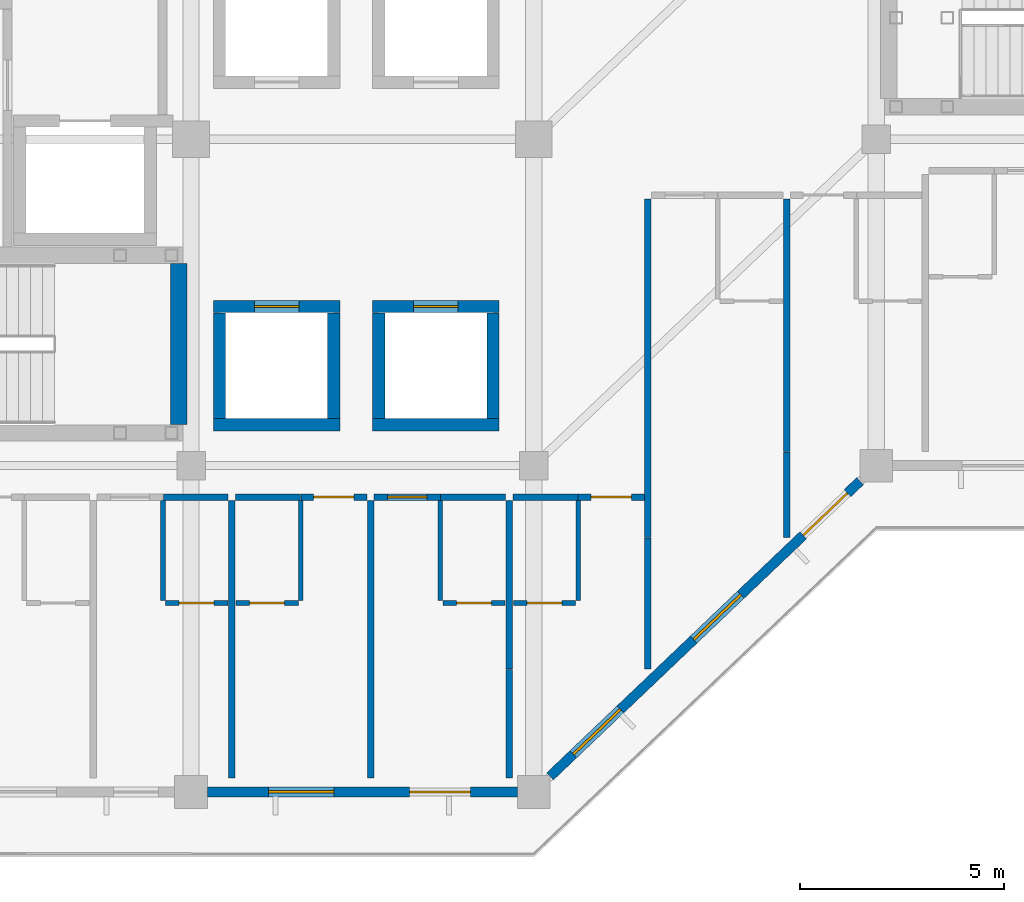
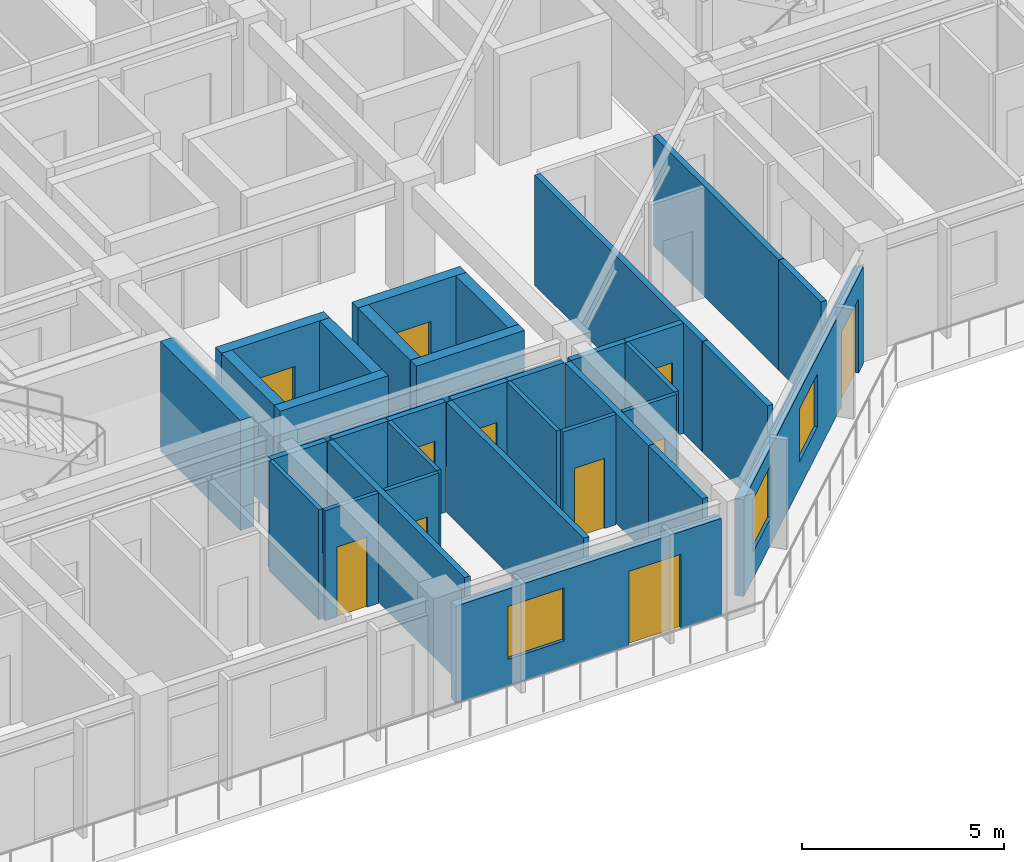
# One storey, part 6 of 17: 34 walls, 11 doors, 3 windows, 14 openings.
"""IFC4 building model written with IfcOpenShell, lengths in metres."""

from ifc_helpers import new_model, si_unit, direction, frame, frame_2d, origin, place, context, subcontext, project, spatial, rectangle, extrude, material, layer, layer_set, type_object, element, fill, save


model = new_model("IFC4")

# Units and contexts
model_context = context("Model", 3, precision=1e-05, world=origin(), true_north=direction((0.0, 1.0)))
body_context = subcontext(model_context, "Body", "Model", "MODEL_VIEW")
ifc_project = project(units=[si_unit("LENGTHUNIT", "METRE"), si_unit("AREAUNIT", "SQUARE_METRE"), si_unit("VOLUMEUNIT", "CUBIC_METRE"), si_unit("PLANEANGLEUNIT", "RADIAN"), si_unit("MASSUNIT", "GRAM", prefix="KILO")], contexts=[model_context])

# Site, building, storey
site_placement = place(None, origin())
site = spatial("IfcSite", under=ifc_project, at=site_placement, CompositionType="ELEMENT")
building_placement = place(site_placement, origin())
building = spatial("IfcBuilding", under=site, at=building_placement, Name="Naruveol Harbour Congress Hotel", CompositionType="ELEMENT")
storey_placement = place(building_placement, frame((0.0, 0.0, 25.199951171875)))
storey = spatial("IfcBuildingStorey", under=building, at=storey_placement, Name="L05", CompositionType="ELEMENT", Elevation=25.199951171875)

# Wall
ifc_material_1 = material(Name="Moisture-Resistant Gypsum Partition", Category="gypsum")
ifc_layer_1 = layer(ifc_material_1, 0.114990234375)
ifc_layer_set_1 = layer_set([ifc_layer_1], Name="Moisture-Resistant Gypsum Partition")
wall_type_1 = type_object("IfcWallType", Name="BATHROOM MOISTURE PARTITION WALL 115", PredefinedType="PARTITIONING", material=ifc_layer_set_1)
wall_1_placement = place(storey_placement, frame((133.7099609375, 4.68994140625, 0.0), z_axis=(0.0, 0.0, 1.0), x_axis=(0.0, 1.0, 0.0)))
element("IfcWall", 1, at=wall_1_placement, inside=storey, type_object=wall_type_1, Name="Bathroom west wall 0619 PW-115", PredefinedType="PARTITIONING", context=body_context, shape_type="SweptSolid", body=[
    extrude(rectangle(XDim=2.449951171875, YDim=0.114990234375, at=frame_2d((1.22509765625, 0.0))), origin(), (0.0, 0.0, 1.0), 3.3349609375),
])

# Wall, opening, door
wall_2_placement = place(storey_placement, frame((133.77001953125, 4.6298828125, 0.0), z_axis=(0.0, 0.0, 1.0), x_axis=(1.0, 0.0, 0.0)))
wall_2 = element("IfcWall", 2, at=wall_2_placement, inside=storey, type_object=wall_type_1, Name="Bathroom south wall 0619 PW-115", PredefinedType="PARTITIONING", context=body_context, shape_type="SweptSolid", body=[
    extrude(rectangle(XDim=1.530029296875, YDim=0.114990234375, at=frame_2d((0.76513671875, 0.0))), origin(), (0.0, 0.0, 1.0), 3.3349609375),
])
opening_1_placement = place(wall_2_placement, frame((0.3349609375, 0.0, 0.0)))
opening_1 = element("IfcOpeningElement", 3, at=opening_1_placement, cuts=wall_2, Name="Opening BD-RM0619", PredefinedType="OPENING", context=body_context, shape_type="SweptSolid", body=[
    extrude(rectangle(XDim=0.860107421875, YDim=2.1201171875, at=frame_2d((0.43017578125, 1.06005859375))), frame((0.0, 0.0673828125, 0.0), z_axis=(0.0, -1.0, 0.0), x_axis=(1.0, 0.0, 0.0)), (0.0, 0.0, 1.0), 0.135009765625),
])
ifc_material_2 = material(Name="Timber & Steel Acoustic Leaf", Category="steel")
door_type_1 = type_object("IfcDoorType", Name="GUEST BATHROOM DOOR 860X2120", OperationType="NOTDEFINED", PredefinedType="DOOR", material=ifc_material_2)
door_1_placement = place(opening_1_placement, origin())
door_1 = element("IfcDoor", 4, at=door_1_placement, inside=storey, type_object=door_type_1, Name="Bathroom Door 0619", OperationType="SINGLE_SWING_RIGHT", OverallHeight=2.1201171875, OverallWidth=0.860107421875, PredefinedType="DOOR", context=body_context, shape_type="SweptSolid", body=[
    extrude(rectangle(XDim=0.860107421875, YDim=2.1201171875, at=frame_2d((0.43017578125, 1.06005859375))), frame((0.0, 0.02490234375, 0.0), z_axis=(0.0, -1.0, 0.0), x_axis=(1.0, 0.0, 0.0)), (0.0, 0.0, 1.0), 0.050048828125),
])
fill(opening_1, door_1)

# Wall
wall_3_placement = place(storey_placement, frame((137.090087890625, 4.68994140625, 0.0), z_axis=(0.0, 0.0, 1.0), x_axis=(0.0, 1.0, 0.0)))
element("IfcWall", 5, at=wall_3_placement, inside=storey, type_object=wall_type_1, Name="Bathroom east wall 0620 PW-115", PredefinedType="PARTITIONING", context=body_context, shape_type="SweptSolid", body=[
    extrude(rectangle(XDim=2.449951171875, YDim=0.114990234375, at=frame_2d((1.22509765625, 0.0))), origin(), (0.0, 0.0, 1.0), 3.3349609375),
])

# Wall, opening, door
wall_4_placement = place(storey_placement, frame((135.5, 4.6298828125, 0.0), z_axis=(0.0, 0.0, 1.0), x_axis=(1.0, 0.0, 0.0)))
wall_4 = element("IfcWall", 6, at=wall_4_placement, inside=storey, type_object=wall_type_1, Name="Bathroom south wall 0620 PW-115", PredefinedType="PARTITIONING", context=body_context, shape_type="SweptSolid", body=[
    extrude(rectangle(XDim=1.530029296875, YDim=0.114990234375, at=frame_2d((0.76513671875, 0.0))), origin(), (0.0, 0.0, 1.0), 3.3349609375),
])
opening_2_placement = place(wall_4_placement, frame((0.3349609375, 0.0, 0.0)))
opening_2 = element("IfcOpeningElement", 7, at=opening_2_placement, cuts=wall_4, Name="Opening BD-RM0620", PredefinedType="OPENING", context=body_context, shape_type="SweptSolid", body=[
    extrude(rectangle(XDim=0.860107421875, YDim=2.1201171875, at=frame_2d((0.43017578125, 1.06005859375))), frame((0.0, 0.0673828125, 0.0), z_axis=(0.0, -1.0, 0.0), x_axis=(1.0, 0.0, 0.0)), (0.0, 0.0, 1.0), 0.135009765625),
])
door_2_placement = place(opening_2_placement, origin())
door_2 = element("IfcDoor", 8, at=door_2_placement, inside=storey, type_object=door_type_1, Name="Bathroom Door 0620", OperationType="SINGLE_SWING_RIGHT", OverallHeight=2.1201171875, OverallWidth=0.860107421875, PredefinedType="DOOR", context=body_context, shape_type="SweptSolid", body=[
    extrude(rectangle(XDim=0.860107421875, YDim=2.1201171875, at=frame_2d((0.43017578125, 1.06005859375))), frame((0.0, 0.02490234375, 0.0), z_axis=(0.0, -1.0, 0.0), x_axis=(1.0, 0.0, 0.0)), (0.0, 0.0, 1.0), 0.050048828125),
])
fill(opening_2, door_2)

# Wall
wall_5_placement = place(storey_placement, frame((140.510009765625, 4.68994140625, 0.0), z_axis=(0.0, 0.0, 1.0), x_axis=(0.0, 1.0, 0.0)))
element("IfcWall", 9, at=wall_5_placement, inside=storey, type_object=wall_type_1, Name="Bathroom west wall 0621 PW-115", PredefinedType="PARTITIONING", context=body_context, shape_type="SweptSolid", body=[
    extrude(rectangle(XDim=2.449951171875, YDim=0.114990234375, at=frame_2d((1.22509765625, 0.0))), origin(), (0.0, 0.0, 1.0), 3.3349609375),
])

# Wall, opening, door
wall_6_placement = place(storey_placement, frame((140.570068359375, 4.6298828125, 0.0), z_axis=(0.0, 0.0, 1.0), x_axis=(1.0, 0.0, 0.0)))
wall_6 = element("IfcWall", 10, at=wall_6_placement, inside=storey, type_object=wall_type_1, Name="Bathroom south wall 0621 PW-115", PredefinedType="PARTITIONING", context=body_context, shape_type="SweptSolid", body=[
    extrude(rectangle(XDim=1.530029296875, YDim=0.114990234375, at=frame_2d((0.76513671875, 0.0))), origin(), (0.0, 0.0, 1.0), 3.3349609375),
])
opening_3_placement = place(wall_6_placement, frame((0.3349609375, 0.0, 0.0)))
opening_3 = element("IfcOpeningElement", 11, at=opening_3_placement, cuts=wall_6, Name="Opening BD-RM0621", PredefinedType="OPENING", context=body_context, shape_type="SweptSolid", body=[
    extrude(rectangle(XDim=0.860107421875, YDim=2.1201171875, at=frame_2d((0.43017578125, 1.06005859375))), frame((0.0, 0.0673828125, 0.0), z_axis=(0.0, -1.0, 0.0), x_axis=(1.0, 0.0, 0.0)), (0.0, 0.0, 1.0), 0.135009765625),
])
door_3_placement = place(opening_3_placement, origin())
door_3 = element("IfcDoor", 12, at=door_3_placement, inside=storey, type_object=door_type_1, Name="Bathroom Door 0621", OperationType="SINGLE_SWING_RIGHT", OverallHeight=2.1201171875, OverallWidth=0.860107421875, PredefinedType="DOOR", context=body_context, shape_type="SweptSolid", body=[
    extrude(rectangle(XDim=0.860107421875, YDim=2.1201171875, at=frame_2d((0.43017578125, 1.06005859375))), frame((0.0, 0.02490234375, 0.0), z_axis=(0.0, -1.0, 0.0), x_axis=(1.0, 0.0, 0.0)), (0.0, 0.0, 1.0), 0.050048828125),
])
fill(opening_3, door_3)

# Wall
wall_7_placement = place(storey_placement, frame((143.889892578125, 4.68994140625, 0.0), z_axis=(0.0, 0.0, 1.0), x_axis=(0.0, 1.0, 0.0)))
element("IfcWall", 13, at=wall_7_placement, inside=storey, type_object=wall_type_1, Name="Bathroom east wall 0622 PW-115", PredefinedType="PARTITIONING", context=body_context, shape_type="SweptSolid", body=[
    extrude(rectangle(XDim=2.449951171875, YDim=0.114990234375, at=frame_2d((1.22509765625, 0.0))), origin(), (0.0, 0.0, 1.0), 3.3349609375),
])

# Wall, opening, door
wall_8_placement = place(storey_placement, frame((142.300048828125, 4.6298828125, 0.0), z_axis=(0.0, 0.0, 1.0), x_axis=(1.0, 0.0, 0.0)))
wall_8 = element("IfcWall", 14, at=wall_8_placement, inside=storey, type_object=wall_type_1, Name="Bathroom south wall 0622 PW-115", PredefinedType="PARTITIONING", context=body_context, shape_type="SweptSolid", body=[
    extrude(rectangle(XDim=1.530029296875, YDim=0.114990234375, at=frame_2d((0.76513671875, 0.0))), origin(), (0.0, 0.0, 1.0), 3.3349609375),
])
opening_4_placement = place(wall_8_placement, frame((0.3349609375, 0.0, 0.0)))
opening_4 = element("IfcOpeningElement", 15, at=opening_4_placement, cuts=wall_8, Name="Opening BD-RM0622", PredefinedType="OPENING", context=body_context, shape_type="SweptSolid", body=[
    extrude(rectangle(XDim=0.860107421875, YDim=2.1201171875, at=frame_2d((0.43017578125, 1.06005859375))), frame((0.0, 0.0673828125, 0.0), z_axis=(0.0, -1.0, 0.0), x_axis=(1.0, 0.0, 0.0)), (0.0, 0.0, 1.0), 0.135009765625),
])
door_4_placement = place(opening_4_placement, origin())
door_4 = element("IfcDoor", 16, at=door_4_placement, inside=storey, type_object=door_type_1, Name="Bathroom Door 0622", OperationType="SINGLE_SWING_RIGHT", OverallHeight=2.1201171875, OverallWidth=0.860107421875, PredefinedType="DOOR", context=body_context, shape_type="SweptSolid", body=[
    extrude(rectangle(XDim=0.860107421875, YDim=2.1201171875, at=frame_2d((0.43017578125, 1.06005859375))), frame((0.0, 0.02490234375, 0.0), z_axis=(0.0, -1.0, 0.0), x_axis=(1.0, 0.0, 0.0)), (0.0, 0.0, 1.0), 0.050048828125),
])
fill(opening_4, door_4)

# Walls
ifc_material_3 = material(Name="Autoclaved Aerated Concrete Block", Category="concrete")
ifc_layer_2 = layer(ifc_material_3, 0.159912109375)
ifc_layer_set_2 = layer_set([ifc_layer_2], Name="Autoclaved Aerated Concrete Block")
wall_type_2 = type_object("IfcWallType", Name="HOTEL PARTY AND CORRIDOR WALL 160 EI60", PredefinedType="PARTITIONING", material=ifc_layer_set_2)
for number, where, z_axis, x_axis, name in (
    (17, (133.719970703125, 7.22998046875, 0.0), (0.0, 0.0, 1.0), (1.0, 0.0, 0.0), "Corridor wall 0619B PW-160"),
    (18, (135.489990234375, 7.22998046875, 0.0), (0.0, 0.0, 1.0), (1.0, 0.0, 0.0), "Corridor wall 0620B PW-160"),
):
    element("IfcWall", number, at=place(storey_placement, frame(where, z_axis=z_axis, x_axis=x_axis)), inside=storey, type_object=wall_type_2, Name=name, PredefinedType="PARTITIONING", context=body_context, shape_type="SweptSolid", body=[
        extrude(rectangle(XDim=1.590087890625, YDim=0.159912109375, at=frame_2d((0.794921875, 0.0))), origin(), (0.0, 0.0, 1.0), 3.3349609375),
    ])

# Wall, opening, door
wall_9_placement = place(storey_placement, frame((137.090087890625, 7.22998046875, 0.0), z_axis=(0.0, 0.0, 1.0), x_axis=(1.0, 0.0, 0.0)))
wall_9 = element("IfcWall", 19, at=wall_9_placement, inside=storey, type_object=wall_type_2, Name="Corridor entry wall 0620 PW-160", PredefinedType="PARTITIONING", context=body_context, shape_type="SweptSolid", body=[
    extrude(rectangle(XDim=1.619873046875, YDim=0.159912109375, at=frame_2d((0.81005859375, 0.0))), origin(), (0.0, 0.0, 1.0), 3.3349609375),
])
opening_5_placement = place(wall_9_placement, frame((0.31005859375, 0.0, 0.0)))
opening_5 = element("IfcOpeningElement", 20, at=opening_5_placement, cuts=wall_9, Name="Opening FD-RM0620", PredefinedType="OPENING", context=body_context, shape_type="SweptSolid", body=[
    extrude(rectangle(XDim=1.0, YDim=2.25, at=frame_2d((0.5, 1.125))), frame((0.0, 0.08984375, 0.0), z_axis=(0.0, -1.0, 0.0), x_axis=(1.0, 0.0, 0.0)), (0.0, 0.0, 1.0), 0.179931640625),
])
ifc_material_4 = material(Name="Timber & Steel Acoustic Leaf", Category="steel")
door_type_2 = type_object("IfcDoorType", Name="DELUXE GUEST ENTRANCE FIRE DOOR 1000X2250", OperationType="NOTDEFINED", PredefinedType="DOOR", material=ifc_material_4)
door_5_placement = place(opening_5_placement, origin())
door_5 = element("IfcDoor", 21, at=door_5_placement, inside=storey, type_object=door_type_2, Name="Hotel Room Door 0620", OperationType="SINGLE_SWING_LEFT", OverallHeight=2.25, OverallWidth=1.0, PredefinedType="DOOR", context=body_context, shape_type="SweptSolid", body=[
    extrude(rectangle(XDim=1.0, YDim=2.25, at=frame_2d((0.5, 1.125))), frame((0.0, 0.02490234375, 0.0), z_axis=(0.0, -1.0, 0.0), x_axis=(1.0, 0.0, 0.0)), (0.0, 0.0, 1.0), 0.050048828125),
])
fill(opening_5, door_5)

# Wall
wall_10_placement = place(storey_placement, frame((135.39990234375, 0.340087890625, 0.0), z_axis=(0.0, 0.0, 1.0), x_axis=(0.0, 1.0, 0.0)))
element("IfcWall", 22, at=wall_10_placement, inside=storey, type_object=wall_type_2, Name="Hotel party wall 0620 PW-160", PredefinedType="PARTITIONING", context=body_context, shape_type="SweptSolid", body=[
    extrude(rectangle(XDim=6.7998046875, YDim=0.159912109375, at=frame_2d((3.39990234375, 0.0))), origin(), (0.0, 0.0, 1.0), 3.3349609375),
])

# Wall, opening, door
wall_11_placement = place(storey_placement, frame((138.889892578125, 7.22998046875, 0.0), z_axis=(0.0, 0.0, 1.0), x_axis=(1.0, 0.0, 0.0)))
wall_11 = element("IfcWall", 23, at=wall_11_placement, inside=storey, type_object=wall_type_2, Name="Corridor entry wall 0621 PW-160", PredefinedType="PARTITIONING", context=body_context, shape_type="SweptSolid", body=[
    extrude(rectangle(XDim=1.6201171875, YDim=0.159912109375, at=frame_2d((0.81005859375, 0.0))), origin(), (0.0, 0.0, 1.0), 3.3349609375),
])
opening_6_placement = place(wall_11_placement, frame((0.330078125, 0.0, 0.0)))
opening_6 = element("IfcOpeningElement", 24, at=opening_6_placement, cuts=wall_11, Name="Opening FD-RM0621", PredefinedType="OPENING", context=body_context, shape_type="SweptSolid", body=[
    extrude(rectangle(XDim=0.9599609375, YDim=2.199951171875, at=frame_2d((0.47998046875, 1.10009765625))), frame((0.0, 0.08984375, 0.0), z_axis=(0.0, -1.0, 0.0), x_axis=(1.0, 0.0, 0.0)), (0.0, 0.0, 1.0), 0.179931640625),
])
ifc_material_5 = material(Name="Timber & Steel Acoustic Leaf", Category="steel")
door_type_3 = type_object("IfcDoorType", Name="GUEST ROOM ENTRANCE FIRE DOOR 960X2200", OperationType="NOTDEFINED", PredefinedType="DOOR", material=ifc_material_5)
door_6_placement = place(opening_6_placement, origin())
door_6 = element("IfcDoor", 25, at=door_6_placement, inside=storey, type_object=door_type_3, Name="Hotel Room Door 0621", OperationType="SINGLE_SWING_LEFT", OverallHeight=2.199951171875, OverallWidth=0.9599609375, PredefinedType="DOOR", context=body_context, shape_type="SweptSolid", body=[
    extrude(rectangle(XDim=0.9599609375, YDim=2.199951171875, at=frame_2d((0.47998046875, 1.10009765625))), frame((0.0, 0.02490234375, 0.0), z_axis=(0.0, -1.0, 0.0), x_axis=(1.0, 0.0, 0.0)), (0.0, 0.0, 1.0), 0.050048828125),
])
fill(opening_6, door_6)

# Walls
wall_12_placement = place(storey_placement, frame((140.52001953125, 7.22998046875, 0.0), z_axis=(0.0, 0.0, 1.0), x_axis=(1.0, 0.0, 0.0)))
element("IfcWall", 26, at=wall_12_placement, inside=storey, type_object=wall_type_2, Name="Corridor wall 0621B PW-160", PredefinedType="PARTITIONING", context=body_context, shape_type="SweptSolid", body=[
    extrude(rectangle(XDim=1.590087890625, YDim=0.159912109375, at=frame_2d((0.794921875, 0.0))), origin(), (0.0, 0.0, 1.0), 3.3349609375),
])
wall_13_placement = place(storey_placement, frame((138.800048828125, 0.340087890625, 0.0), z_axis=(0.0, 0.0, 1.0), x_axis=(0.0, 1.0, 0.0)))
element("IfcWall", 27, at=wall_13_placement, inside=storey, type_object=wall_type_2, Name="Hotel party wall 0621 PW-160", PredefinedType="PARTITIONING", context=body_context, shape_type="SweptSolid", body=[
    extrude(rectangle(XDim=6.7998046875, YDim=0.159912109375, at=frame_2d((3.39990234375, 0.0))), origin(), (0.0, 0.0, 1.0), 3.3349609375),
])
wall_14_placement = place(storey_placement, frame((142.199951171875, 0.340087890625, 0.0), z_axis=(0.0, 0.0, 1.0), x_axis=(0.0, 1.0, 0.0)))
element("IfcWall", 28, at=wall_14_placement, inside=storey, type_object=wall_type_2, Name="Hotel end party wall 0621 PW-160", PredefinedType="PARTITIONING", context=body_context, shape_type="SweptSolid", body=[
    extrude(rectangle(XDim=2.659912109375, YDim=0.159912109375, at=frame_2d((1.330078125, 0.0))), origin(), (0.0, 0.0, 1.0), 3.3349609375),
])
wall_15_placement = place(storey_placement, frame((142.2900390625, 7.22998046875, 0.0), z_axis=(0.0, 0.0, 1.0), x_axis=(1.0, 0.0, 0.0)))
element("IfcWall", 29, at=wall_15_placement, inside=storey, type_object=wall_type_2, Name="Corridor wall 0622B PW-160", PredefinedType="PARTITIONING", context=body_context, shape_type="SweptSolid", body=[
    extrude(rectangle(XDim=1.58984375, YDim=0.159912109375, at=frame_2d((0.794921875, 0.0))), origin(), (0.0, 0.0, 1.0), 3.3349609375),
])

# Wall, opening, door
wall_16_placement = place(storey_placement, frame((143.889892578125, 7.22998046875, 0.0), z_axis=(0.0, 0.0, 1.0), x_axis=(1.0, 0.0, 0.0)))
wall_16 = element("IfcWall", 30, at=wall_16_placement, inside=storey, type_object=wall_type_2, Name="Corridor entry wall 0622 PW-160", PredefinedType="PARTITIONING", context=body_context, shape_type="SweptSolid", body=[
    extrude(rectangle(XDim=1.6201171875, YDim=0.159912109375, at=frame_2d((0.81005859375, 0.0))), origin(), (0.0, 0.0, 1.0), 3.3349609375),
])
opening_7_placement = place(wall_16_placement, frame((0.31005859375, 0.0, 0.0)))
opening_7 = element("IfcOpeningElement", 31, at=opening_7_placement, cuts=wall_16, Name="Opening FD-RM0622", PredefinedType="OPENING", context=body_context, shape_type="SweptSolid", body=[
    extrude(rectangle(XDim=1.0, YDim=2.25, at=frame_2d((0.5, 1.125))), frame((0.0, 0.08984375, 0.0), z_axis=(0.0, -1.0, 0.0), x_axis=(1.0, 0.0, 0.0)), (0.0, 0.0, 1.0), 0.179931640625),
])
door_7_placement = place(opening_7_placement, origin())
door_7 = element("IfcDoor", 32, at=door_7_placement, inside=storey, type_object=door_type_2, Name="Hotel Room Door 0622", OperationType="SINGLE_SWING_LEFT", OverallHeight=2.25, OverallWidth=1.0, PredefinedType="DOOR", context=body_context, shape_type="SweptSolid", body=[
    extrude(rectangle(XDim=1.0, YDim=2.25, at=frame_2d((0.5, 1.125))), frame((0.0, 0.02490234375, 0.0), z_axis=(0.0, -1.0, 0.0), x_axis=(1.0, 0.0, 0.0)), (0.0, 0.0, 1.0), 0.050048828125),
])
fill(opening_7, door_7)

# Walls
wall_17_placement = place(storey_placement, frame((142.199951171875, 3.010009765625, 0.0), z_axis=(0.0, 0.0, 1.0), x_axis=(0.0, 1.0, 0.0)))
element("IfcWall", 33, at=wall_17_placement, inside=storey, type_object=wall_type_2, Name="Hotel party wall 0622 PW-160", PredefinedType="PARTITIONING", context=body_context, shape_type="SweptSolid", body=[
    extrude(rectangle(XDim=4.1298828125, YDim=0.159912109375, at=frame_2d((2.06494140625, 0.0))), origin(), (0.0, 0.0, 1.0), 3.3349609375),
])
wall_18_placement = place(storey_placement, frame((145.60009765625, 3.010009765625, 0.0), z_axis=(0.0, 0.0, 1.0), x_axis=(0.0, 1.0, 0.0)))
element("IfcWall", 34, at=wall_18_placement, inside=storey, type_object=wall_type_2, Name="Hotel end party wall 0622 PW-160", PredefinedType="PARTITIONING", context=body_context, shape_type="SweptSolid", body=[
    extrude(rectangle(XDim=3.219970703125, YDim=0.159912109375, at=frame_2d((1.60986328125, 0.0))), origin(), (0.0, 0.0, 1.0), 3.3349609375),
])
wall_19_placement = place(storey_placement, frame((145.60009765625, 6.239990234375, 0.0), z_axis=(0.0, 0.0, 1.0), x_axis=(0.0, 1.0, 0.0)))
element("IfcWall", 35, at=wall_19_placement, inside=storey, type_object=wall_type_2, Name="Hotel party wall 0623 PW-160", PredefinedType="PARTITIONING", context=body_context, shape_type="SweptSolid", body=[
    extrude(rectangle(XDim=8.300048828125, YDim=0.159912109375, at=frame_2d((4.14990234375, 0.0))), origin(), (0.0, 0.0, 1.0), 3.3349609375),
])
wall_20_placement = place(storey_placement, frame((149.0, 6.239990234375, 0.0), z_axis=(0.0, 0.0, 1.0), x_axis=(0.0, 1.0, 0.0)))
element("IfcWall", 36, at=wall_20_placement, inside=storey, type_object=wall_type_2, Name="Hotel end party wall 0623 PW-160", PredefinedType="PARTITIONING", context=body_context, shape_type="SweptSolid", body=[
    extrude(rectangle(XDim=2.090087890625, YDim=0.159912109375, at=frame_2d((1.044921875, 0.0))), origin(), (0.0, 0.0, 1.0), 3.3349609375),
])
wall_21_placement = place(storey_placement, frame((149.0, 8.340087890625, 0.0), z_axis=(0.0, 0.0, 1.0), x_axis=(0.0, 1.0, 0.0)))
element("IfcWall", 37, at=wall_21_placement, inside=storey, type_object=wall_type_2, Name="Hotel party wall 0624 PW-160", PredefinedType="PARTITIONING", context=body_context, shape_type="SweptSolid", body=[
    extrude(rectangle(XDim=6.199951171875, YDim=0.159912109375, at=frame_2d((3.10009765625, 0.0))), origin(), (0.0, 0.0, 1.0), 3.3349609375),
])

# Wall, openings, window, door
ifc_material_6 = material(Name="Concrete C40/50", Category="concrete")
ifc_layer_3 = layer(ifc_material_6, 0.239990234375)
ifc_layer_set_3 = layer_set([ifc_layer_3], Name="Concrete C40/50")
wall_type_3 = type_object("IfcWallType", Name="INSULATED HOTEL SPANDREL WALL 240", PredefinedType="SOLIDWALL", material=ifc_layer_set_3)
wall_22_placement = place(storey_placement, frame((142.39990234375, 0.0, 0.0), z_axis=(0.0, 0.0, 1.0), x_axis=(-1.0, 0.0, 0.0)))
wall_22 = element("IfcWall", 38, at=wall_22_placement, inside=storey, type_object=wall_type_3, Name="Hotel south waterfront wall L05 EW-240", PredefinedType="SOLIDWALL", context=body_context, shape_type="SweptSolid", body=[
    extrude(rectangle(XDim=7.599853515625, YDim=0.239990234375, at=frame_2d((3.7998046875, 0.0))), origin(), (0.0, 0.0, 1.0), 2.929931640625),
])
opening_8_placement = place(wall_22_placement, frame((1.14990234375, 0.0, 0.0)))
opening_8 = element("IfcOpeningElement", 39, at=opening_8_placement, cuts=wall_22, Name="Opening BD-150-040", PredefinedType="OPENING", context=body_context, shape_type="SweptSolid", body=[
    extrude(rectangle(XDim=1.5, YDim=2.25, at=frame_2d((0.75, 1.125))), frame((0.0, 0.1298828125, 0.0), z_axis=(0.0, -1.0, 0.0), x_axis=(1.0, 0.0, 0.0)), (0.0, 0.0, 1.0), 0.260009765625),
])
opening_9_placement = place(wall_22_placement, frame((4.5, 0.0, 0.800048828125)))
opening_9 = element("IfcOpeningElement", 40, at=opening_9_placement, cuts=wall_22, Name="Opening W-03", PredefinedType="OPENING", context=body_context, shape_type="SweptSolid", body=[
    extrude(rectangle(XDim=1.60009765625, YDim=1.60009765625, at=frame_2d((0.800048828125, 0.800048828125))), frame((0.0, 0.1298828125, 0.0), z_axis=(0.0, -1.0, 0.0), x_axis=(1.0, 0.0, 0.0)), (0.0, 0.0, 1.0), 0.260009765625),
])
ifc_material_7 = material(Name="Low-E Triple Glazing in Thermal Aluminium", Category="aluminium")
window_type = type_object("IfcWindowType", Name="DELUXE GUEST WINDOW 1600X1600", PartitioningType="SINGLE_PANEL", PredefinedType="WINDOW", material=ifc_material_7)
window_1_placement = place(opening_9_placement, origin())
window_1 = element("IfcWindow", 41, at=window_1_placement, inside=storey, type_object=window_type, Name="Window W-03 #316", OverallHeight=1.60009765625, OverallWidth=1.60009765625, PartitioningType="SINGLE_PANEL", PredefinedType="WINDOW", context=body_context, shape_type="SweptSolid", body=[
    extrude(rectangle(XDim=1.60009765625, YDim=1.60009765625, at=frame_2d((0.800048828125, 0.800048828125))), frame((0.0, 0.030029296875, 0.0), z_axis=(0.0, -1.0, 0.0), x_axis=(1.0, 0.0, 0.0)), (0.0, 0.0, 1.0), 0.06005859375),
])
fill(opening_9, window_1)
ifc_material_8 = material(Name="Powder-Coated Steel & Insulated Glazing", Category="steel")
door_type_4 = type_object("IfcDoorType", Name="SUITE BALCONY SLIDING DOOR 1500X2250", OperationType="SLIDING_TO_LEFT", PredefinedType="DOOR", material=ifc_material_8)
door_8_placement = place(opening_8_placement, origin())
door_8 = element("IfcDoor", 42, at=door_8_placement, inside=storey, type_object=door_type_4, Name="Exterior door BD-150-040", OperationType="SLIDING_TO_LEFT", OverallHeight=2.25, OverallWidth=1.5, PredefinedType="DOOR", context=body_context, shape_type="SweptSolid", body=[
    extrude(rectangle(XDim=1.5, YDim=2.25, at=frame_2d((0.75, 1.125))), frame((0.0, 0.02490234375, 0.0), z_axis=(0.0, -1.0, 0.0), x_axis=(1.0, 0.0, 0.0)), (0.0, 0.0, 1.0), 0.050048828125),
])
fill(opening_8, door_8)

# Wall, openings, windows, door
wall_23_placement = place(storey_placement, frame((150.800048828125, 7.618896484375, 0.0), z_axis=(0.0, 0.0, 1.0), x_axis=(-0.724156739794, -0.689635422677, 0.0)))
wall_23 = element("IfcWall", 43, at=wall_23_placement, inside=storey, type_object=wall_type_3, Name="Hotel south waterfront wall L05 EW-240", PredefinedType="SOLIDWALL", context=body_context, shape_type="SweptSolid", body=[
    extrude(rectangle(XDim=10.4951171875, YDim=0.239990234375, at=frame_2d((5.24755859375, 0.0))), origin(), (0.0, 0.0, 1.0), 2.929931640625),
])
opening_10_placement = place(wall_23_placement, frame((0.424072265625, 0.0, 0.0)))
opening_10 = element("IfcOpeningElement", 44, at=opening_10_placement, cuts=wall_23, Name="Opening BD-150-041", PredefinedType="OPENING", context=body_context, shape_type="SweptSolid", body=[
    extrude(rectangle(XDim=1.5, YDim=2.25, at=frame_2d((0.75, 1.125))), frame((0.0, 0.1298828125, 0.0), z_axis=(0.0, -1.0, 0.0), x_axis=(1.0, 0.0, 0.0)), (0.0, 0.0, 1.0), 0.260009765625),
])
opening_11_placement = place(wall_23_placement, frame((4.032958984375, 0.0, 0.800048828125)))
opening_11 = element("IfcOpeningElement", 45, at=opening_11_placement, cuts=wall_23, Name="Opening W-03", PredefinedType="OPENING", context=body_context, shape_type="SweptSolid", body=[
    extrude(rectangle(XDim=1.60009765625, YDim=1.60009765625, at=frame_2d((0.800048828125, 0.800048828125))), frame((0.0, 0.1298828125, 0.0), z_axis=(0.0, -1.0, 0.0), x_axis=(1.0, 0.0, 0.0)), (0.0, 0.0, 1.0), 0.260009765625),
])
opening_12_placement = place(wall_23_placement, frame((8.10693359375, 0.0, 0.800048828125)))
opening_12 = element("IfcOpeningElement", 46, at=opening_12_placement, cuts=wall_23, Name="Opening W-03", PredefinedType="OPENING", context=body_context, shape_type="SweptSolid", body=[
    extrude(rectangle(XDim=1.60009765625, YDim=1.60009765625, at=frame_2d((0.800048828125, 0.800048828125))), frame((0.0, 0.1298828125, 0.0), z_axis=(0.0, -1.0, 0.0), x_axis=(1.0, 0.0, 0.0)), (0.0, 0.0, 1.0), 0.260009765625),
])
window_2_placement = place(opening_11_placement, origin())
window_2 = element("IfcWindow", 47, at=window_2_placement, inside=storey, type_object=window_type, Name="Window W-03 #319", OverallHeight=1.60009765625, OverallWidth=1.60009765625, PartitioningType="SINGLE_PANEL", PredefinedType="WINDOW", context=body_context, shape_type="SweptSolid", body=[
    extrude(rectangle(XDim=1.60009765625, YDim=1.60009765625, at=frame_2d((0.800048828125, 0.800048828125))), frame((0.0, 0.030029296875, 0.0), z_axis=(0.0, -1.0, 0.0), x_axis=(1.0, 0.0, 0.0)), (0.0, 0.0, 1.0), 0.06005859375),
])
fill(opening_11, window_2)
window_3_placement = place(opening_12_placement, origin())
window_3 = element("IfcWindow", 48, at=window_3_placement, inside=storey, type_object=window_type, Name="Window W-03 #320", OverallHeight=1.60009765625, OverallWidth=1.60009765625, PartitioningType="SINGLE_PANEL", PredefinedType="WINDOW", context=body_context, shape_type="SweptSolid", body=[
    extrude(rectangle(XDim=1.60009765625, YDim=1.60009765625, at=frame_2d((0.800048828125, 0.800048828125))), frame((0.0, 0.030029296875, 0.0), z_axis=(0.0, -1.0, 0.0), x_axis=(1.0, 0.0, 0.0)), (0.0, 0.0, 1.0), 0.06005859375),
])
fill(opening_12, window_3)
door_9_placement = place(opening_10_placement, origin())
door_9 = element("IfcDoor", 49, at=door_9_placement, inside=storey, type_object=door_type_4, Name="Exterior door BD-150-041", OperationType="SLIDING_TO_LEFT", OverallHeight=2.25, OverallWidth=1.5, PredefinedType="DOOR", context=body_context, shape_type="SweptSolid", body=[
    extrude(rectangle(XDim=1.5, YDim=2.25, at=frame_2d((0.75, 1.125))), frame((0.0, 0.02490234375, 0.0), z_axis=(0.0, -1.0, 0.0), x_axis=(1.0, 0.0, 0.0)), (0.0, 0.0, 1.0), 0.050048828125),
])
fill(opening_10, door_9)

# Walls
ifc_material_9 = material(Name="Concrete C50/60", Category="concrete")
ifc_layer_4 = layer(ifc_material_9, 0.39990234375)
ifc_layer_set_4 = layer_set([ifc_layer_4], Name="Concrete C50/60")
wall_type_4 = type_object("IfcWallType", Name="RC CORE SHEAR WALL 400 EI120", PredefinedType="SHEAR", material=ifc_layer_set_4)
wall_24_placement = place(storey_placement, frame((134.10009765625, 9.0048828125, 0.0), z_axis=(0.0, 0.0, 1.0), x_axis=(0.0, 1.0, 0.0)))
element("IfcWall", 50, at=wall_24_placement, inside=storey, type_object=wall_type_4, Name="Stair ST1 east core wall CW-400", PredefinedType="SHEAR", context=body_context, shape_type="SweptSolid", body=[
    extrude(rectangle(XDim=3.9501953125, YDim=0.39990234375, at=frame_2d((1.97509765625, 0.0))), origin(), (0.0, 0.0, 1.0), 3.3349609375),
])
ifc_material_10 = material(Name="Concrete C50/60", Category="concrete")
ifc_layer_5 = layer(ifc_material_10, 0.300048828125)
ifc_layer_set_5 = layer_set([ifc_layer_5], Name="Concrete C50/60")
wall_type_5 = type_object("IfcWallType", Name="RC STAIR AND HOISTWAY SHEAR WALL 300 EI120", PredefinedType="SHEAR", material=ifc_layer_set_5)
wall_25_placement = place(storey_placement, frame((134.949951171875, 9.0, 0.0), z_axis=(0.0, 0.0, 1.0), x_axis=(1.0, 0.0, 0.0)))
element("IfcWall", 51, at=wall_25_placement, inside=storey, type_object=wall_type_5, Name="Hoistway south shear wall PL3 SW-300", PredefinedType="SHEAR", context=body_context, shape_type="SweptSolid", body=[
    extrude(rectangle(XDim=3.10009765625, YDim=0.300048828125, at=frame_2d((1.550048828125, 0.0))), origin(), (0.0, 0.0, 1.0), 3.3349609375),
])
wall_26_placement = place(storey_placement, frame((137.89990234375, 9.155029296875, 0.0), z_axis=(0.0, 0.0, 1.0), x_axis=(0.0, 1.0, 0.0)))
element("IfcWall", 52, at=wall_26_placement, inside=storey, type_object=wall_type_5, Name="Hoistway east shear wall PL3 SW-300", PredefinedType="SHEAR", context=body_context, shape_type="SweptSolid", body=[
    extrude(rectangle(XDim=2.590087890625, YDim=0.300048828125, at=frame_2d((1.294921875, 0.0))), origin(), (0.0, 0.0, 1.0), 3.3349609375),
])

# Wall, opening, door
wall_27_placement = place(storey_placement, frame((138.050048828125, 11.89990234375, 0.0), z_axis=(0.0, 0.0, 1.0), x_axis=(-1.0, 0.0, 0.0)))
wall_27 = element("IfcWall", 53, at=wall_27_placement, inside=storey, type_object=wall_type_5, Name="Hoistway north shear wall PL3 SW-300", PredefinedType="SHEAR", context=body_context, shape_type="SweptSolid", body=[
    extrude(rectangle(XDim=3.10009765625, YDim=0.300048828125, at=frame_2d((1.550048828125, 0.0))), origin(), (0.0, 0.0, 1.0), 3.3349609375),
])
opening_13_placement = place(wall_27_placement, frame((1.0, 0.0, 0.0)))
opening_13 = element("IfcOpeningElement", 54, at=opening_13_placement, cuts=wall_27, Name="Opening LD-PL3-L05", PredefinedType="OPENING", context=body_context, shape_type="SweptSolid", body=[
    extrude(rectangle(XDim=1.10009765625, YDim=2.199951171875, at=frame_2d((0.550048828125, 1.10009765625))), frame((0.0, 0.159912109375, 0.0), z_axis=(0.0, -1.0, 0.0), x_axis=(1.0, 0.0, 0.0)), (0.0, 0.0, 1.0), 0.320068359375),
])
ifc_material_11 = material(Name="Stainless Steel Lift Door", Category="steel")
door_type_5 = type_object("IfcDoorType", Name="PASSENGER LIFT LANDING DOOR 1100X2200", OperationType="DOUBLE_DOOR_SLIDING", PredefinedType="DOOR", material=ifc_material_11)
door_10_placement = place(opening_13_placement, origin())
door_10 = element("IfcDoor", 55, at=door_10_placement, inside=storey, type_object=door_type_5, Name="Elevator Landing Door PL3 L05", OperationType="DOUBLE_DOOR_SLIDING", OverallHeight=2.199951171875, OverallWidth=1.10009765625, PredefinedType="DOOR", context=body_context, shape_type="SweptSolid", body=[
    extrude(rectangle(XDim=1.10009765625, YDim=2.199951171875, at=frame_2d((0.550048828125, 1.10009765625))), frame((0.0, 0.02490234375, 0.0), z_axis=(0.0, -1.0, 0.0), x_axis=(1.0, 0.0, 0.0)), (0.0, 0.0, 1.0), 0.050048828125),
])
fill(opening_13, door_10)

# Walls
wall_28_placement = place(storey_placement, frame((135.10009765625, 11.7451171875, 0.0), z_axis=(0.0, 0.0, 1.0), x_axis=(0.0, -1.0, 0.0)))
element("IfcWall", 56, at=wall_28_placement, inside=storey, type_object=wall_type_5, Name="Hoistway west shear wall PL3 SW-300", PredefinedType="SHEAR", context=body_context, shape_type="SweptSolid", body=[
    extrude(rectangle(XDim=2.590087890625, YDim=0.300048828125, at=frame_2d((1.294921875, 0.0))), origin(), (0.0, 0.0, 1.0), 3.3349609375),
])
wall_29_placement = place(storey_placement, frame((138.85009765625, 9.0, 0.0), z_axis=(0.0, 0.0, 1.0), x_axis=(1.0, 0.0, 0.0)))
element("IfcWall", 57, at=wall_29_placement, inside=storey, type_object=wall_type_5, Name="Hoistway south shear wall PL4 SW-300", PredefinedType="SHEAR", context=body_context, shape_type="SweptSolid", body=[
    extrude(rectangle(XDim=3.099853515625, YDim=0.300048828125, at=frame_2d((1.5498046875, 0.0))), origin(), (0.0, 0.0, 1.0), 3.3349609375),
])
wall_30_placement = place(storey_placement, frame((141.800048828125, 9.155029296875, 0.0), z_axis=(0.0, 0.0, 1.0), x_axis=(0.0, 1.0, 0.0)))
element("IfcWall", 58, at=wall_30_placement, inside=storey, type_object=wall_type_5, Name="Hoistway east shear wall PL4 SW-300", PredefinedType="SHEAR", context=body_context, shape_type="SweptSolid", body=[
    extrude(rectangle(XDim=2.590087890625, YDim=0.300048828125, at=frame_2d((1.294921875, 0.0))), origin(), (0.0, 0.0, 1.0), 3.3349609375),
])

# Wall, opening, door
wall_31_placement = place(storey_placement, frame((141.949951171875, 11.89990234375, 0.0), z_axis=(0.0, 0.0, 1.0), x_axis=(-1.0, 0.0, 0.0)))
wall_31 = element("IfcWall", 59, at=wall_31_placement, inside=storey, type_object=wall_type_5, Name="Hoistway north shear wall PL4 SW-300", PredefinedType="SHEAR", context=body_context, shape_type="SweptSolid", body=[
    extrude(rectangle(XDim=3.099853515625, YDim=0.300048828125, at=frame_2d((1.5498046875, 0.0))), origin(), (0.0, 0.0, 1.0), 3.3349609375),
])
opening_14_placement = place(wall_31_placement, frame((1.0, 0.0, 0.0)))
opening_14 = element("IfcOpeningElement", 60, at=opening_14_placement, cuts=wall_31, Name="Opening LD-PL4-L05", PredefinedType="OPENING", context=body_context, shape_type="SweptSolid", body=[
    extrude(rectangle(XDim=1.10009765625, YDim=2.199951171875, at=frame_2d((0.550048828125, 1.10009765625))), frame((0.0, 0.159912109375, 0.0), z_axis=(0.0, -1.0, 0.0), x_axis=(1.0, 0.0, 0.0)), (0.0, 0.0, 1.0), 0.320068359375),
])
door_11_placement = place(opening_14_placement, origin())
door_11 = element("IfcDoor", 61, at=door_11_placement, inside=storey, type_object=door_type_5, Name="Elevator Landing Door PL4 L05", OperationType="DOUBLE_DOOR_SLIDING", OverallHeight=2.199951171875, OverallWidth=1.10009765625, PredefinedType="DOOR", context=body_context, shape_type="SweptSolid", body=[
    extrude(rectangle(XDim=1.10009765625, YDim=2.199951171875, at=frame_2d((0.550048828125, 1.10009765625))), frame((0.0, 0.02490234375, 0.0), z_axis=(0.0, -1.0, 0.0), x_axis=(1.0, 0.0, 0.0)), (0.0, 0.0, 1.0), 0.050048828125),
])
fill(opening_14, door_11)

# Wall
wall_32_placement = place(storey_placement, frame((139.0, 11.7451171875, 0.0), z_axis=(0.0, 0.0, 1.0), x_axis=(0.0, -1.0, 0.0)))
element("IfcWall", 62, at=wall_32_placement, inside=storey, type_object=wall_type_5, Name="Hoistway west shear wall PL4 SW-300", PredefinedType="SHEAR", context=body_context, shape_type="SweptSolid", body=[
    extrude(rectangle(XDim=2.590087890625, YDim=0.300048828125, at=frame_2d((1.294921875, 0.0))), origin(), (0.0, 0.0, 1.0), 3.3349609375),
])

save(model, "model.ifc")
